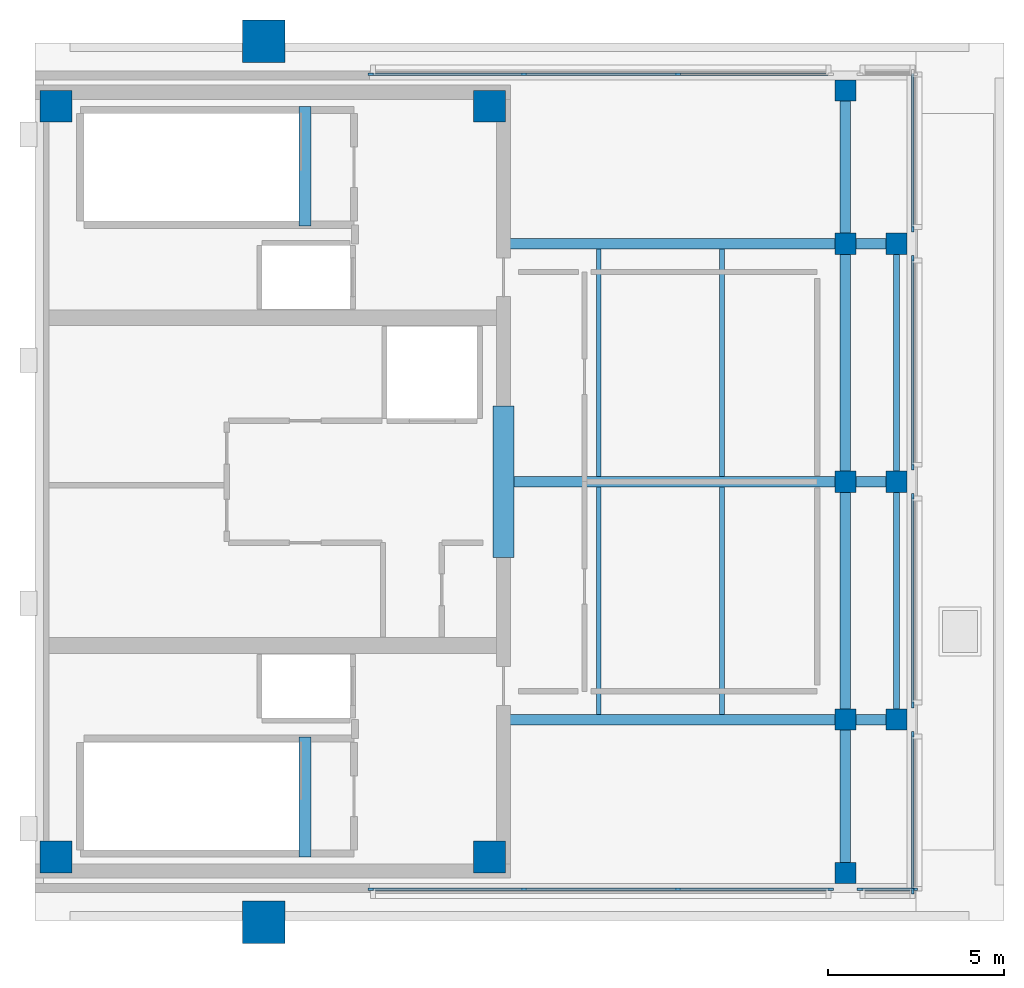
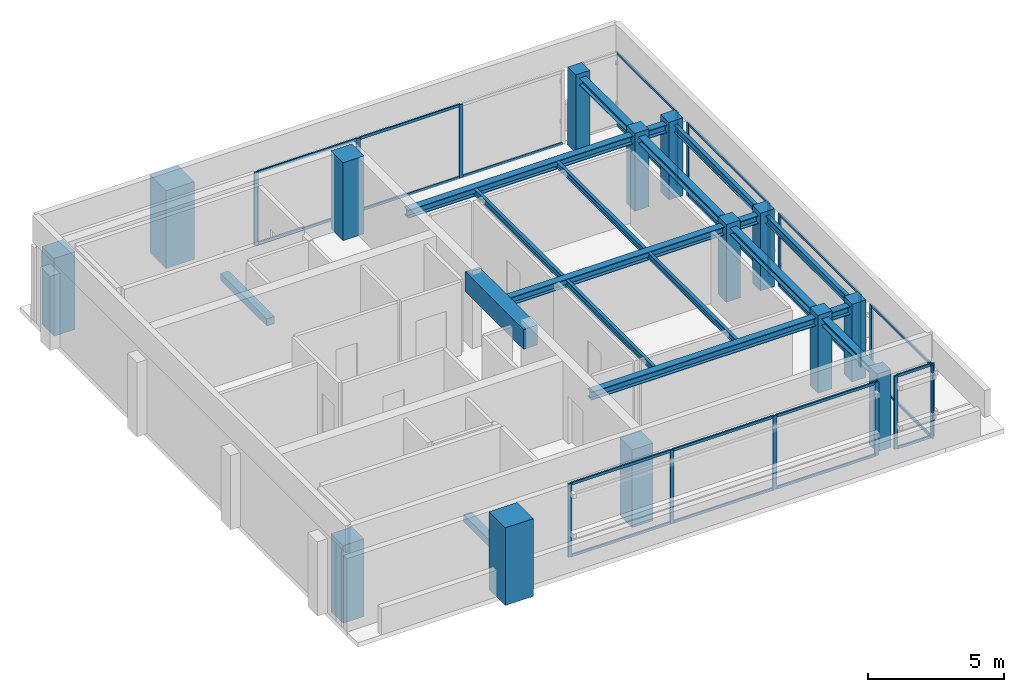
# One storey, part 1 of 5: 37 members, 19 beams, 14 columns, 7 elements without a shape of their own.
"""IFC4 building model written with IfcOpenShell, lengths in metres."""

import ifcopenshell
import ifcopenshell.guid

model = None  # the IFC model being written
_history = None  # IfcOwnerHistory: only IFC2X3 demands one
_inside = {}  # id of a spatial element -> (the spatial element, [elements in it])
_under = {}  # id of a project, library or spatial element -> (it, [spatial elements below it])
_declared = {}  # id of a project -> (the project, [libraries it declares])
_typed = {}  # id of a type object -> (the type object, [elements of that type])
_made_of = {}  # id of a material, layer set ... -> (it, [elements and type objects made of it])


def new_model(schema):
    """Start an empty IFC model of exactly this schema.

    Asked for "IFC4X3", IfcOpenShell would pick the latest addendum, in which some entities
    have other attributes; the version numbers below select the first issue.
    IFC2X3 requires an IfcOwnerHistory on every rooted entity: one is made here for all.
    """
    global model, _history
    if schema == "IFC4X3":
        model = ifcopenshell.file(schema_version=(4, 3, 0, 0))
    else:
        model = ifcopenshell.file(schema=schema)
    _inside.clear()
    _under.clear()
    _declared.clear()
    _typed.clear()
    _made_of.clear()
    _history = None
    if model.schema == "IFC2X3":
        org = make("IfcOrganization", Name="unknown")
        user = make(
            "IfcPersonAndOrganization",
            ThePerson=make("IfcPerson", FamilyName="unknown"),
            TheOrganization=org,
        )
        app = make(
            "IfcApplication",
            ApplicationDeveloper=org,
            Version="unknown",
            ApplicationFullName="unknown",
            ApplicationIdentifier="unknown",
        )
        _history = make(
            "IfcOwnerHistory",
            OwningUser=user,
            OwningApplication=app,
            ChangeAction="ADDED",
            CreationDate=0,
        )
    return model


def make(cls, **values):
    """One entity of the class cls with the attributes given. An attribute that is None is left unset."""
    return model.create_entity(
        cls, **{name: value for name, value in values.items() if value is not None}
    )


def rooted(cls, **values):
    """An entity with a GlobalId (a new one), such as an element, a storey or a relation."""
    return make(cls, GlobalId=ifcopenshell.guid.new(), OwnerHistory=_history, **values)


def si_unit(unit_type, name, prefix=None):
    """IfcSIUnit, for example si_unit("LENGTHUNIT", "METRE", prefix="MILLI")."""
    return make("IfcSIUnit", UnitType=unit_type, Prefix=prefix, Name=name)


def assignment(units):
    """IfcUnitAssignment: the units of a project."""
    return None if units is None else make("IfcUnitAssignment", Units=units)


def point(xyz):
    """IfcCartesianPoint."""
    return None if xyz is None else make("IfcCartesianPoint", Coordinates=xyz)


def direction(xyz):
    """IfcDirection."""
    return None if xyz is None else make("IfcDirection", DirectionRatios=xyz)


def frame(location, z_axis=None, x_axis=None):
    """IfcAxis2Placement3D, a coordinate frame: its origin and axes. An axis left out is left unset."""
    return make(
        "IfcAxis2Placement3D",
        Location=point(location),
        Axis=direction(z_axis),
        RefDirection=direction(x_axis),
    )


def frame_2d(location, x_axis=None):
    """IfcAxis2Placement2D, a coordinate frame in the plane: its origin and x axis."""
    return make(
        "IfcAxis2Placement2D", Location=point(location), RefDirection=direction(x_axis)
    )


def origin():
    """The frame at (0, 0, 0) with its axes left unset."""
    return frame((0.0, 0.0, 0.0))


def origin_2d():
    """The frame at (0, 0) in the plane with its x axis left unset."""
    return frame_2d((0.0, 0.0))


def place(relative_to, where):
    """IfcLocalPlacement: puts the frame where relative to a parent placement (None: the world)."""
    return make(
        "IfcLocalPlacement", PlacementRelTo=relative_to, RelativePlacement=where
    )


def context(
    kind, dimensions, precision=None, world=None, true_north=None, identifier=None
):
    """IfcGeometricRepresentationContext, for example the 3D "Model" context."""
    return make(
        "IfcGeometricRepresentationContext",
        ContextIdentifier=identifier,
        ContextType=kind,
        CoordinateSpaceDimension=dimensions,
        Precision=precision,
        WorldCoordinateSystem=world,
        TrueNorth=true_north,
    )


def subcontext(parent, identifier, kind, view, scale=None):
    """IfcGeometricRepresentationSubContext, for example "Body" below "Model"."""
    return make(
        "IfcGeometricRepresentationSubContext",
        ContextIdentifier=identifier,
        ContextType=kind,
        ParentContext=parent,
        TargetScale=scale,
        TargetView=view,
    )


def project(units=None, contexts=None):
    """IfcProject with its units and contexts."""
    return rooted(
        "IfcProject",
        Name="project",
        RepresentationContexts=contexts,
        UnitsInContext=assignment(units),
    )


def spatial(cls, under=None, at=None, **own):
    """A site, building, storey or space (cls), placed at a placement, below another one or the project."""
    s = rooted(cls, ObjectPlacement=at, **own)
    if under is not None:
        _under.setdefault(under.id(), (under, []))[1].append(s)
    return s


def profile(cls, at=None, kind="AREA", **sizes):
    """A parametric profile (cls). Its sizes go by their IFC names, for example OverallWidth=200.0."""
    return make(cls, ProfileType=kind, Position=at, **sizes)


def rectangle(**sizes):
    """IfcRectangleProfileDef."""
    return profile("IfcRectangleProfileDef", **sizes)


def i_section(**sizes):
    """IfcIShapeProfileDef."""
    return profile("IfcIShapeProfileDef", **sizes)


def extrude(swept, where, along, depth):
    """IfcExtrudedAreaSolid: the profile swept, set in the frame where, extruded along a direction by depth."""
    return make(
        "IfcExtrudedAreaSolid",
        SweptArea=swept,
        Position=where,
        ExtrudedDirection=direction(along),
        Depth=depth,
    )


def shape(context_of_items, identifier, shape_type, items):
    """IfcShapeRepresentation: the items that make up one representation, for example the "Body"."""
    return make(
        "IfcShapeRepresentation",
        ContextOfItems=context_of_items,
        RepresentationIdentifier=identifier,
        RepresentationType=shape_type,
        Items=items,
    )


def material(Name=None, Category=None):
    """IfcMaterial."""
    return make("IfcMaterial", Name=Name, Category=Category)


def layer(
    of_material, thickness, ventilated=None, Name=None, Category=None, Priority=None
):
    """IfcMaterialLayer: one layer of a wall or slab, of a material (None: an air gap)."""
    return make(
        "IfcMaterialLayer",
        Material=of_material,
        LayerThickness=thickness,
        IsVentilated=ventilated,
        Name=Name,
        Category=Category,
        Priority=Priority,
    )


def layer_set(layers, Name=None):
    """IfcMaterialLayerSet."""
    return make("IfcMaterialLayerSet", MaterialLayers=layers, LayerSetName=Name)


def material_profile(
    of_material, cross_section, Name=None, Category=None, Priority=None
):
    """IfcMaterialProfile: a cross section and its material."""
    return make(
        "IfcMaterialProfile",
        Name=Name,
        Material=of_material,
        Profile=cross_section,
        Priority=Priority,
        Category=Category,
    )


def profile_set(profiles, Name=None, composite=None):
    """IfcMaterialProfileSet."""
    return make(
        "IfcMaterialProfileSet",
        Name=Name,
        MaterialProfiles=profiles,
        CompositeProfile=composite,
    )


def made_of(thing, what):
    """Note that an element or type object is made of a material, layer set ...; save() writes the relation."""
    if what is not None:
        _made_of.setdefault(what.id(), (what, []))[1].append(thing)
    return thing


def type_object(cls, material=None, **own):
    """A type object (cls), such as IfcWallType, which elements share."""
    return made_of(rooted(cls, **own), material)


def element(
    cls,
    number,
    at=None,
    inside=None,
    cuts=None,
    type_object=None,
    material=None,
    context=None,
    identifier="Body",
    shape_type=None,
    held_by="IfcProductDefinitionShape",
    body=None,
    shapes=None,
    **own,
):
    """One element of the class cls, such as IfcWall. Its Tag is "e" and its number.

    at: its placement. inside: the storey or other place that contains it. cuts: it is an
    opening in that element (IfcRelVoidsElement). A single representation is given by context,
    identifier, shape_type and body (its items); several are given by shapes. held_by: the class
    of the entity that holds the representations. save() writes the other relations.
    """
    e = rooted(cls, Tag="e%d" % number, ObjectPlacement=at, **own)
    if body is not None:
        shapes = [shape(context, identifier, shape_type, body)]
    if shapes is not None:
        e.Representation = make(held_by, Representations=shapes)
    if inside is not None:
        _inside.setdefault(inside.id(), (inside, []))[1].append(e)
    if cuts is not None:
        rooted(
            "IfcRelVoidsElement", RelatingBuildingElement=cuts, RelatedOpeningElement=e
        )
    if type_object is not None:
        _typed.setdefault(type_object.id(), (type_object, []))[1].append(e)
    return made_of(e, material)


def aggregate(whole, parts):
    """IfcRelAggregates: a whole, such as a stair, and the parts it consists of."""
    return rooted("IfcRelAggregates", RelatingObject=whole, RelatedObjects=parts)


def save(model, path):
    """Write the relations noted so far, then the file.

    IfcRelAggregates (storeys below a building ...), IfcRelContainedInSpatialStructure (elements
    in a storey), IfcRelDefinesByType, IfcRelAssociatesMaterial and IfcRelDeclares: one each for
    every whole, place, type object, material and project.
    """
    for whole, parts in _under.values():
        aggregate(whole, parts)
    for where, things in _inside.values():
        rooted(
            "IfcRelContainedInSpatialStructure",
            RelatedElements=things,
            RelatingStructure=where,
        )
    for kind, things in _typed.values():
        rooted("IfcRelDefinesByType", RelatedObjects=things, RelatingType=kind)
    for what, things in _made_of.values():
        rooted("IfcRelAssociatesMaterial", RelatedObjects=things, RelatingMaterial=what)
    for by, libraries in _declared.values():
        rooted("IfcRelDeclares", RelatingContext=by, RelatedDefinitions=libraries)
    model.write(path)


model = new_model("IFC4")

# Units and contexts
model_context = context("Model", 3, precision=1e-05, world=origin(), true_north=direction((0.0, 1.0)))
body_context = subcontext(model_context, "Body", "Model", "MODEL_VIEW")
ifc_project = project(units=[si_unit("LENGTHUNIT", "METRE"), si_unit("AREAUNIT", "SQUARE_METRE"), si_unit("VOLUMEUNIT", "CUBIC_METRE"), si_unit("PLANEANGLEUNIT", "RADIAN"), si_unit("MASSUNIT", "GRAM", prefix="KILO")], contexts=[model_context])

# Site, building, storey
site_placement = place(None, origin())
site = spatial("IfcSite", under=ifc_project, at=site_placement, CompositionType="ELEMENT")
building_placement = place(site_placement, origin())
building = spatial("IfcBuilding", under=site, at=building_placement, Name="Kinhvarn Gate Tower", CompositionType="ELEMENT")
storey_placement = place(building_placement, frame((0.0, 0.0, 321.550048828125)))
storey = spatial("IfcBuildingStorey", under=building, at=storey_placement, Name="L85", CompositionType="ELEMENT", Elevation=321.550048828125)

# Columns
ifc_material_1 = material(Name="Concrete C60/75", Category="concrete")
ifc_material_profile_1 = material_profile(ifc_material_1, rectangle(XDim=1.199951171875, YDim=1.199951171875, at=origin_2d()), Name="RC 1200x1200")
ifc_profile_set_1 = profile_set([ifc_material_profile_1], Name="Concrete C60/75")
column_type_1 = type_object("IfcColumnType", Name="COL-RC-1200", PredefinedType="COLUMN", material=ifc_profile_set_1)
for number, where, z_axis, x_axis, name in (
    (1, (11.0, 12.75, 0.0), (0.0, 0.0, 1.0), (1.0, 0.0, 0.0), "Column MC1-L85 (C-120)"),
    (2, (11.0, 37.75, 0.0), (0.0, 0.0, 1.0), (1.0, 0.0, 0.0), "Column MC4-L85 (C-120)"),
):
    element("IfcColumn", number, at=place(storey_placement, frame(where, z_axis=z_axis, x_axis=x_axis)), inside=storey, type_object=column_type_1, Name=name, PredefinedType="COLUMN", context=body_context, shape_type="SweptSolid", body=[
        extrude(rectangle(XDim=1.199951171875, YDim=1.199951171875, at=origin_2d()), origin(), (0.0, 0.0, 1.0), 3.5),
    ])
ifc_material_2 = material(Name="Concrete C50/60", Category="concrete")
ifc_material_profile_2 = material_profile(ifc_material_2, rectangle(XDim=0.60009765625, YDim=0.60009765625, at=origin_2d()), Name="RC 600x600")
ifc_profile_set_2 = profile_set([ifc_material_profile_2], Name="Concrete C50/60")
column_type_2 = type_object("IfcColumnType", Name="COL-RC-600", PredefinedType="COLUMN", material=ifc_profile_set_2)
for number, where, z_axis, x_axis, name in (
    (3, (28.949951171875, 18.5, 0.0), (0.0, 0.0, 1.0), (1.0, 0.0, 0.0), "Column CCR-E1-L85 (C-060)"),
    (4, (27.5, 18.5, 0.0), (0.0, 0.0, 1.0), (1.0, 0.0, 0.0), "Column CRANC-1-L85 (C-060)"),
    (5, (28.949951171875, 25.25, 0.0), (0.0, 0.0, 1.0), (1.0, 0.0, 0.0), "Column CCR-E2-L85 (C-060)"),
    (6, (27.5, 25.25, 0.0), (0.0, 0.0, 1.0), (1.0, 0.0, 0.0), "Column CRANC-2-L85 (C-060)"),
    (7, (28.949951171875, 32.0, 0.0), (0.0, 0.0, 1.0), (1.0, 0.0, 0.0), "Column CCR-E3-L85 (C-060)"),
    (8, (27.5, 32.0, 0.0), (0.0, 0.0, 1.0), (1.0, 0.0, 0.0), "Column CRANC-3-L85 (C-060)"),
    (9, (27.5, 14.14990234375, 0.0), (0.0, 0.0, 1.0), (1.0, 0.0, 0.0), "Column CCR-S1-L85 (C-060)"),
    (10, (27.5, 36.35009765625, 0.0), (0.0, 0.0, 1.0), (1.0, 0.0, 0.0), "Column CCR-N1-L85 (C-060)"),
):
    element("IfcColumn", number, at=place(storey_placement, frame(where, z_axis=z_axis, x_axis=x_axis)), inside=storey, type_object=column_type_2, Name=name, PredefinedType="COLUMN", context=body_context, shape_type="SweptSolid", body=[
        extrude(rectangle(XDim=0.60009765625, YDim=0.60009765625, at=origin_2d()), origin(), (0.0, 0.0, 1.0), 3.5),
    ])
ifc_material_profile_3 = material_profile(ifc_material_2, rectangle(XDim=0.89990234375, YDim=0.89990234375, at=origin_2d()), Name="RC 900x900")
ifc_profile_set_3 = profile_set([ifc_material_profile_3], Name="Concrete C50/60")
column_type_3 = type_object("IfcColumnType", Name="PIL-RC-900", PredefinedType="PILASTER", material=ifc_profile_set_3)
for number, where, z_axis, x_axis, name in (
    (11, (5.10009765625, 14.60009765625, 0.0), (0.0, 0.0, 1.0), (1.0, 0.0, 0.0), "Column CC-SW-L85 (CP-090)"),
    (12, (5.10009765625, 35.89990234375, 0.0), (0.0, 0.0, 1.0), (1.0, 0.0, 0.0), "Column CC-NW-L85 (CP-090)"),
    (13, (17.39990234375, 14.60009765625, 0.0), (0.0, 0.0, 1.0), (1.0, 0.0, 0.0), "Column CC-SE-L85 (CP-090)"),
    (14, (17.39990234375, 35.89990234375, 0.0), (0.0, 0.0, 1.0), (1.0, 0.0, 0.0), "Column CC-NE-L85 (CP-090)"),
):
    element("IfcColumn", number, at=place(storey_placement, frame(where, z_axis=z_axis, x_axis=x_axis)), inside=storey, type_object=column_type_3, Name=name, PredefinedType="PILASTER", context=body_context, shape_type="SweptSolid", body=[
        extrude(rectangle(XDim=0.89990234375, YDim=0.89990234375, at=origin_2d()), origin(), (0.0, 0.0, 1.0), 3.5),
    ])

# Beams
ifc_material_profile_4 = material_profile(ifc_material_1, rectangle(XDim=0.60009765625, YDim=0.89990234375, at=origin_2d()), Name="RC 600x900")
ifc_profile_set_4 = profile_set([ifc_material_profile_4], Name="Concrete C60/75")
beam_type_1 = type_object("IfcBeamType", Name="BM-CB-900", PredefinedType="LINTEL", material=ifc_profile_set_4)
beam_1_placement = place(storey_placement, frame((17.800048828125, 23.10009765625, 2.849853515625), z_axis=(0.0, 1.0, 0.0), x_axis=(-1.0, 0.0, 0.0)))
element("IfcBeam", 15, at=beam_1_placement, inside=storey, type_object=beam_type_1, Name="Core East Portal Coupling Beam L85", PredefinedType="LINTEL", context=body_context, shape_type="SweptSolid", body=[
    extrude(rectangle(XDim=0.60009765625, YDim=0.89990234375, at=origin_2d()), origin(), (0.0, 0.0, 1.0), 4.2998046875),
])
ifc_material_profile_5 = material_profile(ifc_material_2, rectangle(XDim=0.340087890625, YDim=0.320068359375, at=origin_2d()), Name="RC 340x320")
ifc_profile_set_5 = profile_set([ifc_material_profile_5], Name="Concrete C50/60")
beam_type_2 = type_object("IfcBeamType", Name="BM-LND-500", PredefinedType="BEAM", material=ifc_profile_set_5)
for number, where, z_axis, x_axis, name in (
    (16, (12.1650390625, 14.60009765625, -0.16015625), (0.0, 1.0, 0.0), (-1.0, 0.0, 0.0), "Stair ST1 Landing Nosing Beam (L85)"),
    (17, (12.1650390625, 32.5, -0.16015625), (0.0, 1.0, 0.0), (-1.0, 0.0, 0.0), "Stair ST2 Landing Nosing Beam (L85)"),
):
    element("IfcBeam", number, at=place(storey_placement, frame(where, z_axis=z_axis, x_axis=x_axis)), inside=storey, type_object=beam_type_2, Name=name, PredefinedType="BEAM", context=body_context, shape_type="SweptSolid", body=[
        extrude(rectangle(XDim=0.340087890625, YDim=0.320068359375, at=origin_2d()), origin(), (0.0, 0.0, 1.0), 3.39990234375),
    ])

# Curtain wall, members
ifc_material_3 = material(Name="Anodised aluminium AW-6063", Category="aluminium")
ifc_layer = layer(ifc_material_3, 0.199951171875)
ifc_layer_set = layer_set([ifc_layer], Name="Anodised aluminium AW-6063")
curtain_wall_type = type_object("IfcCurtainWallType", Name="CW-SYS-6", PredefinedType="NOTDEFINED", material=ifc_layer_set)
curtain_wall_1_placement = place(storey_placement, origin())
curtain_wall_1 = element("IfcCurtainWall", 18, at=curtain_wall_1_placement, inside=storey, type_object=curtain_wall_type, Name="Curtain Wall CW6 (L85)", PredefinedType="NOTDEFINED")
ifc_material_profile_6 = material_profile(ifc_material_3, rectangle(XDim=0.06494140625, YDim=0.159912109375, at=origin_2d()), Name="ALU 65x160")
ifc_profile_set_6 = profile_set([ifc_material_profile_6], Name="Anodised aluminium AW-6063")
member_type_1 = type_object("IfcMemberType", Name="CW-MUL-160", PredefinedType="MULLION", material=ifc_profile_set_6)
member_1_placement = place(storey_placement, frame((14.032470703125, 13.68994140625, 0.0), z_axis=(0.0, 0.0, 1.0), x_axis=(0.0, 1.0, 0.0)))
member_1 = element("IfcMember", 19, at=member_1_placement, type_object=member_type_1, Name="CW6 mullion 1", PredefinedType="MULLION", context=body_context, shape_type="SweptSolid", body=[
    extrude(rectangle(XDim=0.06494140625, YDim=0.159912109375, at=origin_2d()), origin(), (0.0, 0.0, 1.0), 3.300048828125),
])
member_2_placement = place(storey_placement, frame((18.373291015625, 13.68994140625, 0.0), z_axis=(0.0, 0.0, 1.0), x_axis=(0.0, 1.0, 0.0)))
member_2 = element("IfcMember", 20, at=member_2_placement, type_object=member_type_1, Name="CW6 mullion 2", PredefinedType="MULLION", context=body_context, shape_type="SweptSolid", body=[
    extrude(rectangle(XDim=0.06494140625, YDim=0.159912109375, at=origin_2d()), origin(), (0.0, 0.0, 1.0), 3.300048828125),
])
member_3_placement = place(storey_placement, frame((22.74658203125, 13.68994140625, 0.0), z_axis=(0.0, 0.0, 1.0), x_axis=(0.0, 1.0, 0.0)))
member_3 = element("IfcMember", 21, at=member_3_placement, type_object=member_type_1, Name="CW6 mullion 3", PredefinedType="MULLION", context=body_context, shape_type="SweptSolid", body=[
    extrude(rectangle(XDim=0.06494140625, YDim=0.159912109375, at=origin_2d()), origin(), (0.0, 0.0, 1.0), 3.300048828125),
])
member_4_placement = place(storey_placement, frame((27.08740234375, 13.68994140625, 0.0), z_axis=(0.0, 0.0, 1.0), x_axis=(0.0, 1.0, 0.0)))
member_4 = element("IfcMember", 22, at=member_4_placement, type_object=member_type_1, Name="CW6 mullion 4", PredefinedType="MULLION", context=body_context, shape_type="SweptSolid", body=[
    extrude(rectangle(XDim=0.06494140625, YDim=0.159912109375, at=origin_2d()), origin(), (0.0, 0.0, 1.0), 3.300048828125),
])

curtain_wall_2_placement = place(storey_placement, origin())
curtain_wall_2 = element("IfcCurtainWall", 23, at=curtain_wall_2_placement, inside=storey, type_object=curtain_wall_type, Name="Curtain Wall CW6 (L85)", PredefinedType="NOTDEFINED")
member_5_placement = place(storey_placement, frame((27.91259765625, 13.68994140625, 0.0), z_axis=(0.0, 0.0, 1.0), x_axis=(0.0, 1.0, 0.0)))
member_5 = element("IfcMember", 24, at=member_5_placement, type_object=member_type_1, Name="CW6 mullion 1", PredefinedType="MULLION", context=body_context, shape_type="SweptSolid", body=[
    extrude(rectangle(XDim=0.06494140625, YDim=0.159912109375, at=origin_2d()), origin(), (0.0, 0.0, 1.0), 3.300048828125),
])
member_6_placement = place(storey_placement, frame((29.467529296875, 13.68994140625, 0.0), z_axis=(0.0, 0.0, 1.0), x_axis=(0.0, 1.0, 0.0)))
member_6 = element("IfcMember", 25, at=member_6_placement, type_object=member_type_1, Name="CW6 mullion 2", PredefinedType="MULLION", context=body_context, shape_type="SweptSolid", body=[
    extrude(rectangle(XDim=0.06494140625, YDim=0.159912109375, at=origin_2d()), origin(), (0.0, 0.0, 1.0), 3.300048828125),
])

curtain_wall_3_placement = place(storey_placement, origin())
curtain_wall_3 = element("IfcCurtainWall", 26, at=curtain_wall_3_placement, inside=storey, type_object=curtain_wall_type, Name="Curtain Wall CW6 (L85)", PredefinedType="NOTDEFINED")
member_7_placement = place(storey_placement, frame((22.74658203125, 36.81005859375, 0.0), z_axis=(0.0, 0.0, 1.0), x_axis=(0.0, -1.0, 0.0)))
member_7 = element("IfcMember", 27, at=member_7_placement, type_object=member_type_1, Name="CW6 mullion 2", PredefinedType="MULLION", context=body_context, shape_type="SweptSolid", body=[
    extrude(rectangle(XDim=0.06494140625, YDim=0.159912109375, at=origin_2d()), origin(), (0.0, 0.0, 1.0), 3.300048828125),
])
member_8_placement = place(storey_placement, frame((18.373291015625, 36.81005859375, 0.0), z_axis=(0.0, 0.0, 1.0), x_axis=(0.0, -1.0, 0.0)))
member_8 = element("IfcMember", 28, at=member_8_placement, type_object=member_type_1, Name="CW6 mullion 3", PredefinedType="MULLION", context=body_context, shape_type="SweptSolid", body=[
    extrude(rectangle(XDim=0.06494140625, YDim=0.159912109375, at=origin_2d()), origin(), (0.0, 0.0, 1.0), 3.300048828125),
])
member_9_placement = place(storey_placement, frame((14.032470703125, 36.81005859375, 0.0), z_axis=(0.0, 0.0, 1.0), x_axis=(0.0, -1.0, 0.0)))
member_9 = element("IfcMember", 29, at=member_9_placement, type_object=member_type_1, Name="CW6 mullion 4", PredefinedType="MULLION", context=body_context, shape_type="SweptSolid", body=[
    extrude(rectangle(XDim=0.06494140625, YDim=0.159912109375, at=origin_2d()), origin(), (0.0, 0.0, 1.0), 3.300048828125),
])

curtain_wall_4_placement = place(storey_placement, origin())
curtain_wall_4 = element("IfcCurtainWall", 30, at=curtain_wall_4_placement, inside=storey, type_object=curtain_wall_type, Name="Curtain Wall CW6 (L85)", PredefinedType="NOTDEFINED")
member_10_placement = place(storey_placement, frame((29.409912109375, 13.632568359375, 0.0), z_axis=(0.0, 0.0, 1.0), x_axis=(-1.0, 0.0, 0.0)))
member_10 = element("IfcMember", 31, at=member_10_placement, type_object=member_type_1, Name="CW6 mullion 1", PredefinedType="MULLION", context=body_context, shape_type="SweptSolid", body=[
    extrude(rectangle(XDim=0.06494140625, YDim=0.159912109375, at=origin_2d()), origin(), (0.0, 0.0, 1.0), 3.300048828125),
])
member_11_placement = place(storey_placement, frame((29.409912109375, 18.08740234375, 0.0), z_axis=(0.0, 0.0, 1.0), x_axis=(-1.0, 0.0, 0.0)))
member_11 = element("IfcMember", 32, at=member_11_placement, type_object=member_type_1, Name="CW6 mullion 2", PredefinedType="MULLION", context=body_context, shape_type="SweptSolid", body=[
    extrude(rectangle(XDim=0.06494140625, YDim=0.159912109375, at=origin_2d()), origin(), (0.0, 0.0, 1.0), 3.300048828125),
])

curtain_wall_5_placement = place(storey_placement, origin())
curtain_wall_5 = element("IfcCurtainWall", 33, at=curtain_wall_5_placement, inside=storey, type_object=curtain_wall_type, Name="Curtain Wall CW6 (L85)", PredefinedType="NOTDEFINED")
member_12_placement = place(storey_placement, frame((29.409912109375, 18.91259765625, 0.0), z_axis=(0.0, 0.0, 1.0), x_axis=(-1.0, 0.0, 0.0)))
member_12 = element("IfcMember", 34, at=member_12_placement, type_object=member_type_1, Name="CW6 mullion 1", PredefinedType="MULLION", context=body_context, shape_type="SweptSolid", body=[
    extrude(rectangle(XDim=0.06494140625, YDim=0.159912109375, at=origin_2d()), origin(), (0.0, 0.0, 1.0), 3.300048828125),
])
member_13_placement = place(storey_placement, frame((29.409912109375, 24.83740234375, 0.0), z_axis=(0.0, 0.0, 1.0), x_axis=(-1.0, 0.0, 0.0)))
member_13 = element("IfcMember", 35, at=member_13_placement, type_object=member_type_1, Name="CW6 mullion 2", PredefinedType="MULLION", context=body_context, shape_type="SweptSolid", body=[
    extrude(rectangle(XDim=0.06494140625, YDim=0.159912109375, at=origin_2d()), origin(), (0.0, 0.0, 1.0), 3.300048828125),
])

curtain_wall_6_placement = place(storey_placement, origin())
curtain_wall_6 = element("IfcCurtainWall", 36, at=curtain_wall_6_placement, inside=storey, type_object=curtain_wall_type, Name="Curtain Wall CW6 (L85)", PredefinedType="NOTDEFINED")
member_14_placement = place(storey_placement, frame((29.409912109375, 25.66259765625, 0.0), z_axis=(0.0, 0.0, 1.0), x_axis=(-1.0, 0.0, 0.0)))
member_14 = element("IfcMember", 37, at=member_14_placement, type_object=member_type_1, Name="CW6 mullion 1", PredefinedType="MULLION", context=body_context, shape_type="SweptSolid", body=[
    extrude(rectangle(XDim=0.06494140625, YDim=0.159912109375, at=origin_2d()), origin(), (0.0, 0.0, 1.0), 3.300048828125),
])
member_15_placement = place(storey_placement, frame((29.409912109375, 31.58740234375, 0.0), z_axis=(0.0, 0.0, 1.0), x_axis=(-1.0, 0.0, 0.0)))
member_15 = element("IfcMember", 38, at=member_15_placement, type_object=member_type_1, Name="CW6 mullion 2", PredefinedType="MULLION", context=body_context, shape_type="SweptSolid", body=[
    extrude(rectangle(XDim=0.06494140625, YDim=0.159912109375, at=origin_2d()), origin(), (0.0, 0.0, 1.0), 3.300048828125),
])

# Curtain wall, member
curtain_wall_7_placement = place(storey_placement, origin())
curtain_wall_7 = element("IfcCurtainWall", 39, at=curtain_wall_7_placement, inside=storey, type_object=curtain_wall_type, Name="Curtain Wall CW6 (L85)", PredefinedType="NOTDEFINED")
member_16_placement = place(storey_placement, frame((29.409912109375, 32.41259765625, 0.0), z_axis=(0.0, 0.0, 1.0), x_axis=(-1.0, 0.0, 0.0)))
member_16 = element("IfcMember", 40, at=member_16_placement, type_object=member_type_1, Name="CW6 mullion 1", PredefinedType="MULLION", context=body_context, shape_type="SweptSolid", body=[
    extrude(rectangle(XDim=0.06494140625, YDim=0.159912109375, at=origin_2d()), origin(), (0.0, 0.0, 1.0), 3.300048828125),
])

# Member
ifc_material_profile_7 = material_profile(ifc_material_3, rectangle(XDim=0.06494140625, YDim=0.1201171875, at=origin_2d()), Name="ALU 65x120")
ifc_profile_set_7 = profile_set([ifc_material_profile_7], Name="Anodised aluminium AW-6063")
member_type_2 = type_object("IfcMemberType", Name="CW-TRN-120", PredefinedType="USERDEFINED", material=ifc_profile_set_7)
member_17_placement = place(storey_placement, frame((14.06494140625, 13.68994140625, 0.032470703125), z_axis=(1.0, 0.0, 0.0), x_axis=(0.0, 1.0, 0.0)))
member_17 = element("IfcMember", 41, at=member_17_placement, type_object=member_type_2, Name="CW6 transom 1.1", ObjectType="TRANSOM", PredefinedType="USERDEFINED", context=body_context, shape_type="SweptSolid", body=[
    extrude(rectangle(XDim=0.06494140625, YDim=0.1201171875, at=origin_2d()), origin(), (0.0, 0.0, 1.0), 4.27587890625),
])

member_18_placement = place(storey_placement, frame((14.06494140625, 13.68994140625, 3.267333984375), z_axis=(1.0, 0.0, 0.0), x_axis=(0.0, 1.0, 0.0)))
member_18 = element("IfcMember", 42, at=member_18_placement, type_object=member_type_2, Name="CW6 transom 1.2", ObjectType="TRANSOM", PredefinedType="USERDEFINED", context=body_context, shape_type="SweptSolid", body=[
    extrude(rectangle(XDim=0.06494140625, YDim=0.1201171875, at=origin_2d()), origin(), (0.0, 0.0, 1.0), 4.27587890625),
])

member_19_placement = place(storey_placement, frame((18.40576171875, 13.68994140625, 0.032470703125), z_axis=(1.0, 0.0, 0.0), x_axis=(0.0, 1.0, 0.0)))
member_19 = element("IfcMember", 43, at=member_19_placement, type_object=member_type_2, Name="CW6 transom 2.1", ObjectType="TRANSOM", PredefinedType="USERDEFINED", context=body_context, shape_type="SweptSolid", body=[
    extrude(rectangle(XDim=0.06494140625, YDim=0.1201171875, at=origin_2d()), origin(), (0.0, 0.0, 1.0), 4.308349609375),
])

member_20_placement = place(storey_placement, frame((18.40576171875, 13.68994140625, 3.267333984375), z_axis=(1.0, 0.0, 0.0), x_axis=(0.0, 1.0, 0.0)))
member_20 = element("IfcMember", 44, at=member_20_placement, type_object=member_type_2, Name="CW6 transom 2.2", ObjectType="TRANSOM", PredefinedType="USERDEFINED", context=body_context, shape_type="SweptSolid", body=[
    extrude(rectangle(XDim=0.06494140625, YDim=0.1201171875, at=origin_2d()), origin(), (0.0, 0.0, 1.0), 4.308349609375),
])

member_21_placement = place(storey_placement, frame((22.779052734375, 13.68994140625, 0.032470703125), z_axis=(1.0, 0.0, 0.0), x_axis=(0.0, 1.0, 0.0)))
member_21 = element("IfcMember", 45, at=member_21_placement, type_object=member_type_2, Name="CW6 transom 3.1", ObjectType="TRANSOM", PredefinedType="USERDEFINED", context=body_context, shape_type="SweptSolid", body=[
    extrude(rectangle(XDim=0.06494140625, YDim=0.1201171875, at=origin_2d()), origin(), (0.0, 0.0, 1.0), 4.27587890625),
])

member_22_placement = place(storey_placement, frame((22.779052734375, 13.68994140625, 3.267333984375), z_axis=(1.0, 0.0, 0.0), x_axis=(0.0, 1.0, 0.0)))
member_22 = element("IfcMember", 46, at=member_22_placement, type_object=member_type_2, Name="CW6 transom 3.2", ObjectType="TRANSOM", PredefinedType="USERDEFINED", context=body_context, shape_type="SweptSolid", body=[
    extrude(rectangle(XDim=0.06494140625, YDim=0.1201171875, at=origin_2d()), origin(), (0.0, 0.0, 1.0), 4.27587890625),
])

aggregate(curtain_wall_1, [member_1, member_2, member_3, member_4, member_17, member_18, member_19, member_20, member_21, member_22])

member_23_placement = place(storey_placement, frame((27.945068359375, 13.68994140625, 0.032470703125), z_axis=(1.0, 0.0, 0.0), x_axis=(0.0, 1.0, 0.0)))
member_23 = element("IfcMember", 47, at=member_23_placement, type_object=member_type_2, Name="CW6 transom 1.1", ObjectType="TRANSOM", PredefinedType="USERDEFINED", context=body_context, shape_type="SweptSolid", body=[
    extrude(rectangle(XDim=0.06494140625, YDim=0.1201171875, at=origin_2d()), origin(), (0.0, 0.0, 1.0), 1.489990234375),
])

member_24_placement = place(storey_placement, frame((27.945068359375, 13.68994140625, 3.267333984375), z_axis=(1.0, 0.0, 0.0), x_axis=(0.0, 1.0, 0.0)))
member_24 = element("IfcMember", 48, at=member_24_placement, type_object=member_type_2, Name="CW6 transom 1.2", ObjectType="TRANSOM", PredefinedType="USERDEFINED", context=body_context, shape_type="SweptSolid", body=[
    extrude(rectangle(XDim=0.06494140625, YDim=0.1201171875, at=origin_2d()), origin(), (0.0, 0.0, 1.0), 1.489990234375),
])

aggregate(curtain_wall_2, [member_5, member_6, member_23, member_24])

member_25_placement = place(storey_placement, frame((27.054931640625, 36.81005859375, 0.032470703125), z_axis=(-1.0, 0.0, 0.0), x_axis=(0.0, -1.0, 0.0)))
member_25 = element("IfcMember", 49, at=member_25_placement, type_object=member_type_2, Name="CW6 transom 1.1", ObjectType="TRANSOM", PredefinedType="USERDEFINED", context=body_context, shape_type="SweptSolid", body=[
    extrude(rectangle(XDim=0.06494140625, YDim=0.1201171875, at=origin_2d()), origin(), (0.0, 0.0, 1.0), 4.27587890625),
])

member_26_placement = place(storey_placement, frame((22.714111328125, 36.81005859375, 0.032470703125), z_axis=(-1.0, 0.0, 0.0), x_axis=(0.0, -1.0, 0.0)))
member_26 = element("IfcMember", 50, at=member_26_placement, type_object=member_type_2, Name="CW6 transom 2.1", ObjectType="TRANSOM", PredefinedType="USERDEFINED", context=body_context, shape_type="SweptSolid", body=[
    extrude(rectangle(XDim=0.06494140625, YDim=0.1201171875, at=origin_2d()), origin(), (0.0, 0.0, 1.0), 4.308349609375),
])

member_27_placement = place(storey_placement, frame((22.714111328125, 36.81005859375, 3.267333984375), z_axis=(-1.0, 0.0, 0.0), x_axis=(0.0, -1.0, 0.0)))
member_27 = element("IfcMember", 51, at=member_27_placement, type_object=member_type_2, Name="CW6 transom 2.2", ObjectType="TRANSOM", PredefinedType="USERDEFINED", context=body_context, shape_type="SweptSolid", body=[
    extrude(rectangle(XDim=0.06494140625, YDim=0.1201171875, at=origin_2d()), origin(), (0.0, 0.0, 1.0), 4.308349609375),
])

member_28_placement = place(storey_placement, frame((18.3408203125, 36.81005859375, 0.032470703125), z_axis=(-1.0, 0.0, 0.0), x_axis=(0.0, -1.0, 0.0)))
member_28 = element("IfcMember", 52, at=member_28_placement, type_object=member_type_2, Name="CW6 transom 3.1", ObjectType="TRANSOM", PredefinedType="USERDEFINED", context=body_context, shape_type="SweptSolid", body=[
    extrude(rectangle(XDim=0.06494140625, YDim=0.1201171875, at=origin_2d()), origin(), (0.0, 0.0, 1.0), 4.27587890625),
])

member_29_placement = place(storey_placement, frame((18.3408203125, 36.81005859375, 3.267333984375), z_axis=(-1.0, 0.0, 0.0), x_axis=(0.0, -1.0, 0.0)))
member_29 = element("IfcMember", 53, at=member_29_placement, type_object=member_type_2, Name="CW6 transom 3.2", ObjectType="TRANSOM", PredefinedType="USERDEFINED", context=body_context, shape_type="SweptSolid", body=[
    extrude(rectangle(XDim=0.06494140625, YDim=0.1201171875, at=origin_2d()), origin(), (0.0, 0.0, 1.0), 4.27587890625),
])

aggregate(curtain_wall_3, [member_7, member_8, member_9, member_25, member_26, member_27, member_28, member_29])

member_30_placement = place(storey_placement, frame((29.409912109375, 13.6650390625, 0.032470703125), z_axis=(0.0, 1.0, 0.0), x_axis=(-1.0, 0.0, 0.0)))
member_30 = element("IfcMember", 54, at=member_30_placement, type_object=member_type_2, Name="CW6 transom 1.1", ObjectType="TRANSOM", PredefinedType="USERDEFINED", context=body_context, shape_type="SweptSolid", body=[
    extrude(rectangle(XDim=0.06494140625, YDim=0.1201171875, at=origin_2d()), origin(), (0.0, 0.0, 1.0), 4.389892578125),
])

member_31_placement = place(storey_placement, frame((29.409912109375, 13.6650390625, 3.267333984375), z_axis=(0.0, 1.0, 0.0), x_axis=(-1.0, 0.0, 0.0)))
member_31 = element("IfcMember", 55, at=member_31_placement, type_object=member_type_2, Name="CW6 transom 1.2", ObjectType="TRANSOM", PredefinedType="USERDEFINED", context=body_context, shape_type="SweptSolid", body=[
    extrude(rectangle(XDim=0.06494140625, YDim=0.1201171875, at=origin_2d()), origin(), (0.0, 0.0, 1.0), 4.389892578125),
])

aggregate(curtain_wall_4, [member_10, member_11, member_30, member_31])

member_32_placement = place(storey_placement, frame((29.409912109375, 18.945068359375, 0.032470703125), z_axis=(0.0, 1.0, 0.0), x_axis=(-1.0, 0.0, 0.0)))
member_32 = element("IfcMember", 56, at=member_32_placement, type_object=member_type_2, Name="CW6 transom 1.1", ObjectType="TRANSOM", PredefinedType="USERDEFINED", context=body_context, shape_type="SweptSolid", body=[
    extrude(rectangle(XDim=0.06494140625, YDim=0.1201171875, at=origin_2d()), origin(), (0.0, 0.0, 1.0), 5.85986328125),
])

member_33_placement = place(storey_placement, frame((29.409912109375, 18.945068359375, 3.267333984375), z_axis=(0.0, 1.0, 0.0), x_axis=(-1.0, 0.0, 0.0)))
member_33 = element("IfcMember", 57, at=member_33_placement, type_object=member_type_2, Name="CW6 transom 1.2", ObjectType="TRANSOM", PredefinedType="USERDEFINED", context=body_context, shape_type="SweptSolid", body=[
    extrude(rectangle(XDim=0.06494140625, YDim=0.1201171875, at=origin_2d()), origin(), (0.0, 0.0, 1.0), 5.85986328125),
])

aggregate(curtain_wall_5, [member_12, member_13, member_32, member_33])

member_34_placement = place(storey_placement, frame((29.409912109375, 25.695068359375, 0.032470703125), z_axis=(0.0, 1.0, 0.0), x_axis=(-1.0, 0.0, 0.0)))
member_34 = element("IfcMember", 58, at=member_34_placement, type_object=member_type_2, Name="CW6 transom 1.1", ObjectType="TRANSOM", PredefinedType="USERDEFINED", context=body_context, shape_type="SweptSolid", body=[
    extrude(rectangle(XDim=0.06494140625, YDim=0.1201171875, at=origin_2d()), origin(), (0.0, 0.0, 1.0), 5.85986328125),
])

member_35_placement = place(storey_placement, frame((29.409912109375, 25.695068359375, 3.267333984375), z_axis=(0.0, 1.0, 0.0), x_axis=(-1.0, 0.0, 0.0)))
member_35 = element("IfcMember", 59, at=member_35_placement, type_object=member_type_2, Name="CW6 transom 1.2", ObjectType="TRANSOM", PredefinedType="USERDEFINED", context=body_context, shape_type="SweptSolid", body=[
    extrude(rectangle(XDim=0.06494140625, YDim=0.1201171875, at=origin_2d()), origin(), (0.0, 0.0, 1.0), 5.85986328125),
])

aggregate(curtain_wall_6, [member_14, member_15, member_34, member_35])

member_36_placement = place(storey_placement, frame((29.409912109375, 32.445068359375, 0.032470703125), z_axis=(0.0, 1.0, 0.0), x_axis=(-1.0, 0.0, 0.0)))
member_36 = element("IfcMember", 60, at=member_36_placement, type_object=member_type_2, Name="CW6 transom 1.1", ObjectType="TRANSOM", PredefinedType="USERDEFINED", context=body_context, shape_type="SweptSolid", body=[
    extrude(rectangle(XDim=0.06494140625, YDim=0.1201171875, at=origin_2d()), origin(), (0.0, 0.0, 1.0), 4.389892578125),
])

member_37_placement = place(storey_placement, frame((29.409912109375, 32.445068359375, 3.267333984375), z_axis=(0.0, 1.0, 0.0), x_axis=(-1.0, 0.0, 0.0)))
member_37 = element("IfcMember", 61, at=member_37_placement, type_object=member_type_2, Name="CW6 transom 1.2", ObjectType="TRANSOM", PredefinedType="USERDEFINED", context=body_context, shape_type="SweptSolid", body=[
    extrude(rectangle(XDim=0.06494140625, YDim=0.1201171875, at=origin_2d()), origin(), (0.0, 0.0, 1.0), 4.389892578125),
])

aggregate(curtain_wall_7, [member_16, member_36, member_37])

# Beams
ifc_material_4 = material(Name="Steel S355", Category="steel")
ifc_material_profile_8 = material_profile(ifc_material_4, i_section(OverallWidth=0.300048828125, OverallDepth=0.300048828125, WebThickness=0.010986328125, FlangeThickness=0.01904296875, at=origin_2d()), Name="HEB 300")
ifc_profile_set_8 = profile_set([ifc_material_profile_8], Name="Steel S355")
beam_type_3 = type_object("IfcBeamType", Name="STL-HEB300", PredefinedType="BEAM", material=ifc_profile_set_8)
beam_2_placement = place(storey_placement, frame((27.5, 14.14990234375, 3.14990234375), z_axis=(0.0, 1.0, 0.0), x_axis=(-1.0, 0.0, 0.0)))
element("IfcBeam", 62, at=beam_2_placement, inside=storey, type_object=beam_type_3, Name="Floor Beam PG-10 (L85 CR-NS-S)", PredefinedType="BEAM", context=body_context, shape_type="SweptSolid", body=[
    extrude(i_section(OverallWidth=0.300048828125, OverallDepth=0.300048828125, WebThickness=0.010986328125, FlangeThickness=0.01904296875, at=origin_2d()), origin(), (0.0, 0.0, 1.0), 4.35009765625),
])
for number, where, z_axis, x_axis, name in (
    (63, (27.5, 18.5, 3.14990234375), (0.0, 1.0, 0.0), (-1.0, 0.0, 0.0), "Floor Beam PG-10 (L85 CR-NS-M1)"),
    (64, (27.5, 25.25, 3.14990234375), (0.0, 1.0, 0.0), (-1.0, 0.0, 0.0), "Floor Beam PG-10 (L85 CR-NS-M2)"),
):
    element("IfcBeam", number, at=place(storey_placement, frame(where, z_axis=z_axis, x_axis=x_axis)), inside=storey, type_object=beam_type_3, Name=name, PredefinedType="BEAM", context=body_context, shape_type="SweptSolid", body=[
        extrude(i_section(OverallWidth=0.300048828125, OverallDepth=0.300048828125, WebThickness=0.010986328125, FlangeThickness=0.01904296875, at=origin_2d()), origin(), (0.0, 0.0, 1.0), 6.75),
    ])
beam_3_placement = place(storey_placement, frame((27.5, 32.0, 3.14990234375), z_axis=(0.0, 1.0, 0.0), x_axis=(-1.0, 0.0, 0.0)))
element("IfcBeam", 65, at=beam_3_placement, inside=storey, type_object=beam_type_3, Name="Floor Beam PG-10 (L85 CR-NS-N)", PredefinedType="BEAM", context=body_context, shape_type="SweptSolid", body=[
    extrude(i_section(OverallWidth=0.300048828125, OverallDepth=0.300048828125, WebThickness=0.010986328125, FlangeThickness=0.01904296875, at=origin_2d()), origin(), (0.0, 0.0, 1.0), 4.35009765625),
])
ifc_material_profile_9 = material_profile(ifc_material_4, i_section(OverallWidth=0.300048828125, OverallDepth=0.360107421875, WebThickness=0.012451171875, FlangeThickness=0.0224609375, at=origin_2d()), Name="HEB 360")
ifc_profile_set_9 = profile_set([ifc_material_profile_9], Name="Steel S355")
beam_type_4 = type_object("IfcBeamType", Name="STL-HEB360", PredefinedType="BEAM", material=ifc_profile_set_9)
beam_4_placement = place(storey_placement, frame((17.64990234375, 18.5, 3.119873046875), z_axis=(1.0, 0.0, 0.0), x_axis=(0.0, 1.0, 0.0)))
element("IfcBeam", 66, at=beam_4_placement, inside=storey, type_object=beam_type_4, Name="Floor Beam PG-11 (L85 CR-EW1-18)", PredefinedType="BEAM", context=body_context, shape_type="SweptSolid", body=[
    extrude(i_section(OverallWidth=0.300048828125, OverallDepth=0.360107421875, WebThickness=0.012451171875, FlangeThickness=0.0224609375, at=origin_2d()), origin(), (0.0, 0.0, 1.0), 9.85009765625),
])
beam_5_placement = place(storey_placement, frame((27.5, 18.5, 3.119873046875), z_axis=(1.0, 0.0, 0.0), x_axis=(0.0, 1.0, 0.0)))
element("IfcBeam", 67, at=beam_5_placement, inside=storey, type_object=beam_type_4, Name="Floor Beam PG-11 (L85 CR-EW2-18)", PredefinedType="BEAM", context=body_context, shape_type="SweptSolid", body=[
    extrude(i_section(OverallWidth=0.300048828125, OverallDepth=0.360107421875, WebThickness=0.012451171875, FlangeThickness=0.0224609375, at=origin_2d()), origin(), (0.0, 0.0, 1.0), 1.449951171875),
])
beam_6_placement = place(storey_placement, frame((18.10009765625, 25.25, 3.119873046875), z_axis=(1.0, 0.0, 0.0), x_axis=(0.0, 1.0, 0.0)))
element("IfcBeam", 68, at=beam_6_placement, inside=storey, type_object=beam_type_4, Name="Floor Beam PG-11 (L85 CR-EW1-25)", PredefinedType="BEAM", context=body_context, shape_type="SweptSolid", body=[
    extrude(i_section(OverallWidth=0.300048828125, OverallDepth=0.360107421875, WebThickness=0.012451171875, FlangeThickness=0.0224609375, at=origin_2d()), origin(), (0.0, 0.0, 1.0), 9.39990234375),
])
beam_7_placement = place(storey_placement, frame((27.5, 25.25, 3.119873046875), z_axis=(1.0, 0.0, 0.0), x_axis=(0.0, 1.0, 0.0)))
element("IfcBeam", 69, at=beam_7_placement, inside=storey, type_object=beam_type_4, Name="Floor Beam PG-11 (L85 CR-EW2-25)", PredefinedType="BEAM", context=body_context, shape_type="SweptSolid", body=[
    extrude(i_section(OverallWidth=0.300048828125, OverallDepth=0.360107421875, WebThickness=0.012451171875, FlangeThickness=0.0224609375, at=origin_2d()), origin(), (0.0, 0.0, 1.0), 1.449951171875),
])
beam_8_placement = place(storey_placement, frame((17.64990234375, 32.0, 3.119873046875), z_axis=(1.0, 0.0, 0.0), x_axis=(0.0, 1.0, 0.0)))
element("IfcBeam", 70, at=beam_8_placement, inside=storey, type_object=beam_type_4, Name="Floor Beam PG-11 (L85 CR-EW1-32)", PredefinedType="BEAM", context=body_context, shape_type="SweptSolid", body=[
    extrude(i_section(OverallWidth=0.300048828125, OverallDepth=0.360107421875, WebThickness=0.012451171875, FlangeThickness=0.0224609375, at=origin_2d()), origin(), (0.0, 0.0, 1.0), 9.85009765625),
])
beam_9_placement = place(storey_placement, frame((27.5, 32.0, 3.119873046875), z_axis=(1.0, 0.0, 0.0), x_axis=(0.0, 1.0, 0.0)))
element("IfcBeam", 71, at=beam_9_placement, inside=storey, type_object=beam_type_4, Name="Floor Beam PG-11 (L85 CR-EW2-32)", PredefinedType="BEAM", context=body_context, shape_type="SweptSolid", body=[
    extrude(i_section(OverallWidth=0.300048828125, OverallDepth=0.360107421875, WebThickness=0.012451171875, FlangeThickness=0.0224609375, at=origin_2d()), origin(), (0.0, 0.0, 1.0), 1.449951171875),
])
ifc_material_profile_10 = material_profile(ifc_material_4, i_section(OverallWidth=0.135009765625, OverallDepth=0.27001953125, WebThickness=0.006591796875, FlangeThickness=0.01025390625, at=origin_2d()), Name="IPE 270")
ifc_profile_set_10 = profile_set([ifc_material_profile_10], Name="Steel S355")
beam_type_5 = type_object("IfcBeamType", Name="STL-IPE270", PredefinedType="JOIST", material=ifc_profile_set_10)
for number, where, z_axis, x_axis, name in (
    (72, (20.5, 18.64990234375, 3.1650390625), (0.0, 1.0, 0.0), (-1.0, 0.0, 0.0), "Floor Joist SB-01 (L85 CR-J1-205)"),
    (73, (20.5, 25.39990234375, 3.1650390625), (0.0, 1.0, 0.0), (-1.0, 0.0, 0.0), "Floor Joist SB-01 (L85 CR-J2-205)"),
    (74, (24.0, 18.64990234375, 3.1650390625), (0.0, 1.0, 0.0), (-1.0, 0.0, 0.0), "Floor Joist SB-01 (L85 CR-J1-240)"),
    (75, (24.0, 25.39990234375, 3.1650390625), (0.0, 1.0, 0.0), (-1.0, 0.0, 0.0), "Floor Joist SB-01 (L85 CR-J2-240)"),
):
    element("IfcBeam", number, at=place(storey_placement, frame(where, z_axis=z_axis, x_axis=x_axis)), inside=storey, type_object=beam_type_5, Name=name, PredefinedType="JOIST", context=body_context, shape_type="SweptSolid", body=[
        extrude(i_section(OverallWidth=0.135009765625, OverallDepth=0.27001953125, WebThickness=0.006591796875, FlangeThickness=0.01025390625, at=origin_2d()), origin(), (0.0, 0.0, 1.0), 6.4501953125),
    ])
ifc_material_profile_11 = material_profile(ifc_material_4, i_section(OverallWidth=0.159912109375, OverallDepth=0.330078125, WebThickness=0.007568359375, FlangeThickness=0.011474609375, at=origin_2d()), Name="IPE 330")
ifc_profile_set_11 = profile_set([ifc_material_profile_11], Name="Steel S355")
beam_type_6 = type_object("IfcBeamType", Name="STL-IPE330", PredefinedType="JOIST", material=ifc_profile_set_11)
for number, where, z_axis, x_axis, name in (
    (76, (28.949951171875, 18.5, 3.135009765625), (0.0, 1.0, 0.0), (-1.0, 0.0, 0.0), "Floor Joist SB-03 (L85 CR-SPE1)"),
    (77, (28.949951171875, 25.25, 3.135009765625), (0.0, 1.0, 0.0), (-1.0, 0.0, 0.0), "Floor Joist SB-03 (L85 CR-SPE2)"),
):
    element("IfcBeam", number, at=place(storey_placement, frame(where, z_axis=z_axis, x_axis=x_axis)), inside=storey, type_object=beam_type_6, Name=name, PredefinedType="JOIST", context=body_context, shape_type="SweptSolid", body=[
        extrude(i_section(OverallWidth=0.159912109375, OverallDepth=0.330078125, WebThickness=0.007568359375, FlangeThickness=0.011474609375, at=origin_2d()), origin(), (0.0, 0.0, 1.0), 6.75),
    ])

save(model, "model.ifc")
